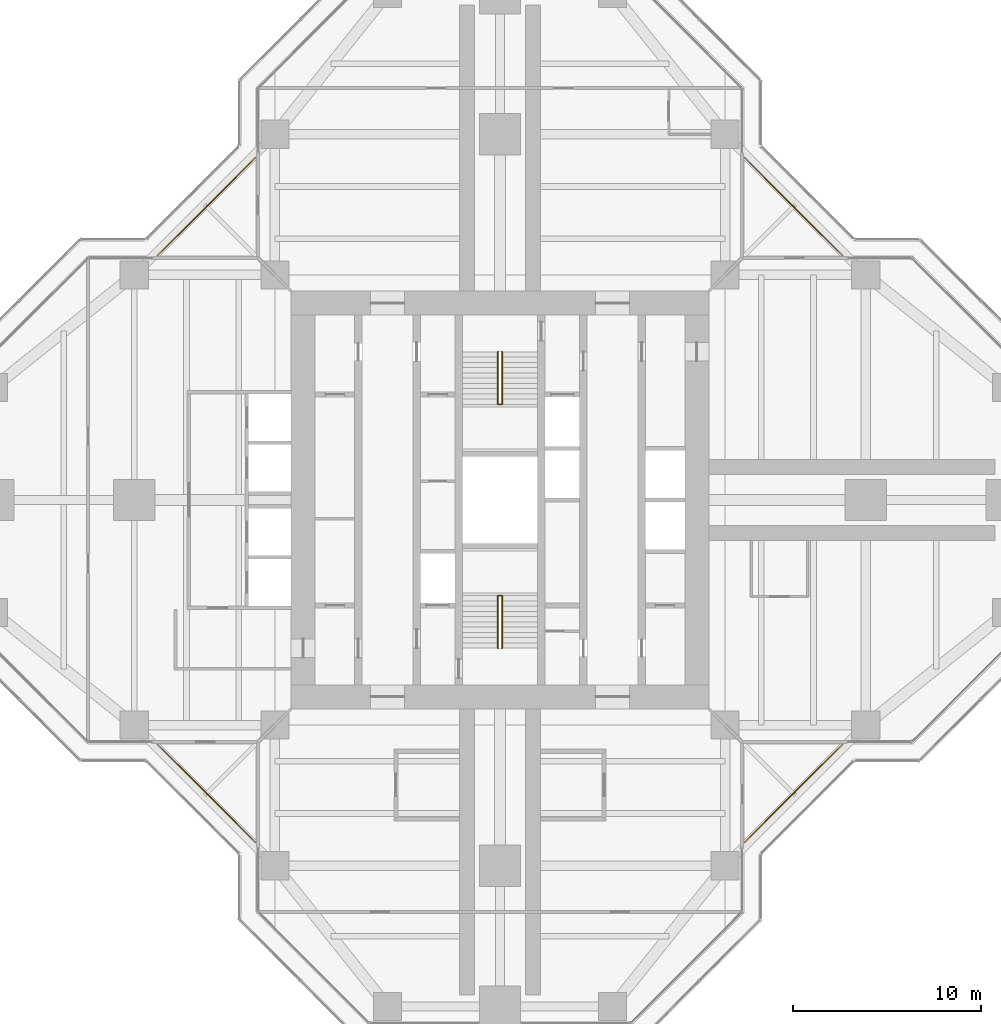
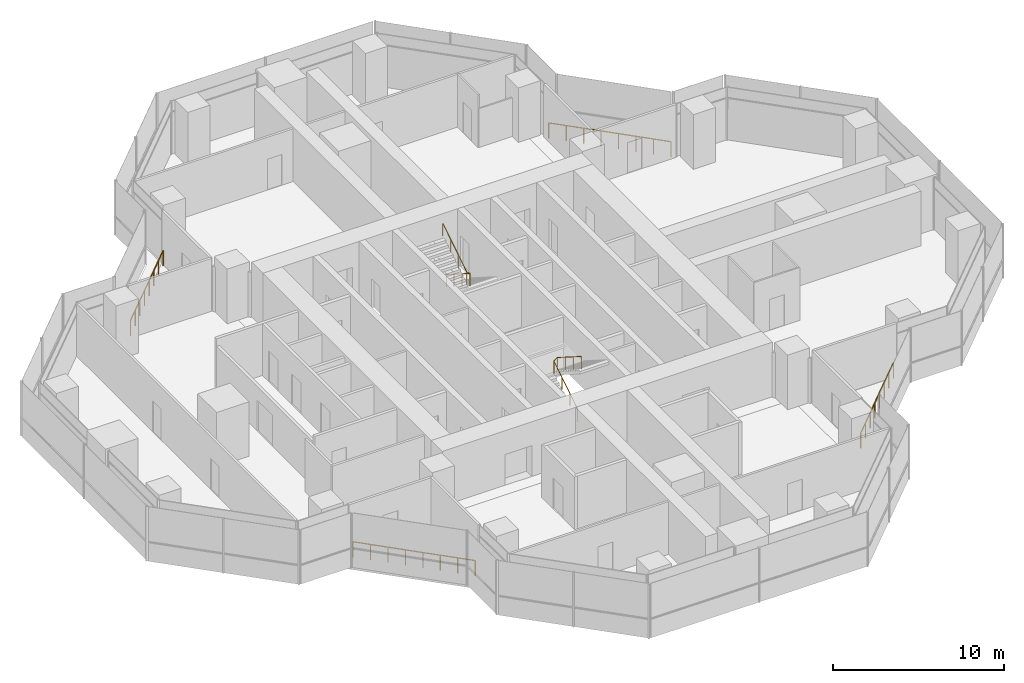
# One storey, part 17 of 17: 6 railings.
"""IFC4 building model written with IfcOpenShell, lengths in metres."""

from ifc_helpers import new_model, si_unit, direction, frame, origin, origin_2d, place, context, subcontext, project, spatial, circle, extrude, material, type_object, element, save


model = new_model("IFC4")

# Units and contexts
model_context = context("Model", 3, precision=1e-05, world=origin(), true_north=direction((0.0, 1.0)))
body_context = subcontext(model_context, "Body", "Model", "MODEL_VIEW")
ifc_project = project(units=[si_unit("LENGTHUNIT", "METRE"), si_unit("AREAUNIT", "SQUARE_METRE"), si_unit("VOLUMEUNIT", "CUBIC_METRE"), si_unit("PLANEANGLEUNIT", "RADIAN"), si_unit("MASSUNIT", "GRAM", prefix="KILO")], contexts=[model_context])

# Site, building, storey
site_placement = place(None, origin())
site = spatial("IfcSite", under=ifc_project, at=site_placement, CompositionType="ELEMENT")
building_placement = place(site_placement, origin())
building = spatial("IfcBuilding", under=site, at=building_placement, Name="Mizan Broadcast Tower", CompositionType="ELEMENT")
storey_placement = place(building_placement, frame((0.0, 0.0, 224.39990234375)))
storey = spatial("IfcBuildingStorey", under=building, at=storey_placement, Name="L52", CompositionType="ELEMENT", Elevation=224.39990234375)

# Railings
ifc_material_1 = material(Name="Stainless steel and glass guard", Category="steel")
railing_type_1 = type_object("IfcRailingType", Name="GUARD 1100", PredefinedType="GUARDRAIL", material=ifc_material_1)
railing_1_placement = place(storey_placement, frame((18.2578125, 13.030029296875, 0.0)))
element("IfcRailing", 1, at=railing_1_placement, inside=storey, type_object=railing_type_1, Name="Winter garden guard L52 E", PredefinedType="GUARDRAIL", context=body_context, shape_type="SweptSolid", body=[
    extrude(circle(Radius=0.02392578125, at=origin_2d()), frame((0.0, 0.0, 1.076171875), z_axis=(-0.707106781187, 0.707106781187, 0.0), x_axis=(-0.707106781187, -0.707106781187, 0.0)), (0.0, 0.0, 1.0), 7.393310546875),
    extrude(circle(Radius=0.02099609375, at=origin_2d()), origin(), (0.0, 0.0, 1.0), 1.052001953125),
    extrude(circle(Radius=0.02099609375, at=origin_2d()), frame((-0.746826171875, 0.746826171875, 0.0)), (0.0, 0.0, 1.0), 1.052001953125),
    extrude(circle(Radius=0.02099609375, at=origin_2d()), frame((-1.49365234375, 1.49365234375, 0.0)), (0.0, 0.0, 1.0), 1.052001953125),
    extrude(circle(Radius=0.02099609375, at=origin_2d()), frame((-2.240478515625, 2.240478515625, 0.0)), (0.0, 0.0, 1.0), 1.052001953125),
    extrude(circle(Radius=0.02099609375, at=origin_2d()), frame((-2.9873046875, 2.9873046875, 0.0)), (0.0, 0.0, 1.0), 1.052001953125),
    extrude(circle(Radius=0.02099609375, at=origin_2d()), frame((-3.734130859375, 3.734130859375, 0.0)), (0.0, 0.0, 1.0), 1.052001953125),
    extrude(circle(Radius=0.02099609375, at=origin_2d()), frame((-4.48095703125, 4.48095703125, 0.0)), (0.0, 0.0, 1.0), 1.052001953125),
    extrude(circle(Radius=0.02099609375, at=origin_2d()), frame((-5.227783203125, 5.227783203125, 0.0)), (0.0, 0.0, 1.0), 1.052001953125),
])
railing_2_placement = place(storey_placement, frame((-13.030029296875, 18.2578125, 0.0)))
element("IfcRailing", 2, at=railing_2_placement, inside=storey, type_object=railing_type_1, Name="Winter garden guard L52 N", PredefinedType="GUARDRAIL", context=body_context, shape_type="SweptSolid", body=[
    extrude(circle(Radius=0.02392578125, at=origin_2d()), frame((0.0, 0.0, 1.076171875), z_axis=(-0.707106781187, -0.707106781187, 0.0), x_axis=(0.707106781187, -0.707106781187, 0.0)), (0.0, 0.0, 1.0), 7.393310546875),
    extrude(circle(Radius=0.02099609375, at=origin_2d()), origin(), (0.0, 0.0, 1.0), 1.052001953125),
    extrude(circle(Radius=0.02099609375, at=origin_2d()), frame((-0.746826171875, -0.746826171875, 0.0)), (0.0, 0.0, 1.0), 1.052001953125),
    extrude(circle(Radius=0.02099609375, at=origin_2d()), frame((-1.49365234375, -1.49365234375, 0.0)), (0.0, 0.0, 1.0), 1.052001953125),
    extrude(circle(Radius=0.02099609375, at=origin_2d()), frame((-2.240478515625, -2.240478515625, 0.0)), (0.0, 0.0, 1.0), 1.052001953125),
    extrude(circle(Radius=0.02099609375, at=origin_2d()), frame((-2.9873046875, -2.9873046875, 0.0)), (0.0, 0.0, 1.0), 1.052001953125),
    extrude(circle(Radius=0.02099609375, at=origin_2d()), frame((-3.734130859375, -3.734130859375, 0.0)), (0.0, 0.0, 1.0), 1.052001953125),
    extrude(circle(Radius=0.02099609375, at=origin_2d()), frame((-4.48095703125, -4.48095703125, 0.0)), (0.0, 0.0, 1.0), 1.052001953125),
    extrude(circle(Radius=0.02099609375, at=origin_2d()), frame((-5.227783203125, -5.227783203125, 0.0)), (0.0, 0.0, 1.0), 1.052001953125),
])
railing_3_placement = place(storey_placement, frame((-18.2578125, -13.030029296875, 0.0)))
element("IfcRailing", 3, at=railing_3_placement, inside=storey, type_object=railing_type_1, Name="Winter garden guard L52 W", PredefinedType="GUARDRAIL", context=body_context, shape_type="SweptSolid", body=[
    extrude(circle(Radius=0.02392578125, at=origin_2d()), frame((0.0, 0.0, 1.076171875), z_axis=(0.707106781187, -0.707106781187, 0.0), x_axis=(0.707106781187, 0.707106781187, 0.0)), (0.0, 0.0, 1.0), 7.393310546875),
    extrude(circle(Radius=0.02099609375, at=origin_2d()), origin(), (0.0, 0.0, 1.0), 1.052001953125),
    extrude(circle(Radius=0.02099609375, at=origin_2d()), frame((0.746826171875, -0.746826171875, 0.0)), (0.0, 0.0, 1.0), 1.052001953125),
    extrude(circle(Radius=0.02099609375, at=origin_2d()), frame((1.49365234375, -1.49365234375, 0.0)), (0.0, 0.0, 1.0), 1.052001953125),
    extrude(circle(Radius=0.02099609375, at=origin_2d()), frame((2.240478515625, -2.240478515625, 0.0)), (0.0, 0.0, 1.0), 1.052001953125),
    extrude(circle(Radius=0.02099609375, at=origin_2d()), frame((2.9873046875, -2.9873046875, 0.0)), (0.0, 0.0, 1.0), 1.052001953125),
    extrude(circle(Radius=0.02099609375, at=origin_2d()), frame((3.734130859375, -3.734130859375, 0.0)), (0.0, 0.0, 1.0), 1.052001953125),
    extrude(circle(Radius=0.02099609375, at=origin_2d()), frame((4.48095703125, -4.48095703125, 0.0)), (0.0, 0.0, 1.0), 1.052001953125),
    extrude(circle(Radius=0.02099609375, at=origin_2d()), frame((5.227783203125, -5.227783203125, 0.0)), (0.0, 0.0, 1.0), 1.052001953125),
])
railing_4_placement = place(storey_placement, frame((13.030029296875, -18.2578125, 0.0)))
element("IfcRailing", 4, at=railing_4_placement, inside=storey, type_object=railing_type_1, Name="Winter garden guard L52 S", PredefinedType="GUARDRAIL", context=body_context, shape_type="SweptSolid", body=[
    extrude(circle(Radius=0.02392578125, at=origin_2d()), frame((0.0, 0.0, 1.076171875), z_axis=(0.707106781187, 0.707106781187, 0.0), x_axis=(-0.707106781187, 0.707106781187, 0.0)), (0.0, 0.0, 1.0), 7.393310546875),
    extrude(circle(Radius=0.02099609375, at=origin_2d()), origin(), (0.0, 0.0, 1.0), 1.052001953125),
    extrude(circle(Radius=0.02099609375, at=origin_2d()), frame((0.746826171875, 0.746826171875, 0.0)), (0.0, 0.0, 1.0), 1.052001953125),
    extrude(circle(Radius=0.02099609375, at=origin_2d()), frame((1.49365234375, 1.49365234375, 0.0)), (0.0, 0.0, 1.0), 1.052001953125),
    extrude(circle(Radius=0.02099609375, at=origin_2d()), frame((2.240478515625, 2.240478515625, 0.0)), (0.0, 0.0, 1.0), 1.052001953125),
    extrude(circle(Radius=0.02099609375, at=origin_2d()), frame((2.9873046875, 2.9873046875, 0.0)), (0.0, 0.0, 1.0), 1.052001953125),
    extrude(circle(Radius=0.02099609375, at=origin_2d()), frame((3.734130859375, 3.734130859375, 0.0)), (0.0, 0.0, 1.0), 1.052001953125),
    extrude(circle(Radius=0.02099609375, at=origin_2d()), frame((4.48095703125, 4.48095703125, 0.0)), (0.0, 0.0, 1.0), 1.052001953125),
    extrude(circle(Radius=0.02099609375, at=origin_2d()), frame((5.227783203125, 5.227783203125, 0.0)), (0.0, 0.0, 1.0), 1.052001953125),
])
ifc_material_2 = material(Name="Stainless steel", Category="steel")
railing_type_2 = type_object("IfcRailingType", Name="HANDRAIL 50", PredefinedType="HANDRAIL", material=ifc_material_2)
railing_5_placement = place(storey_placement, frame((-0.110107421875, -7.89990234375, 0.177490234375)))
element("IfcRailing", 5, at=railing_5_placement, inside=storey, type_object=railing_type_2, Name="Stair A handrail", PredefinedType="HANDRAIL", context=body_context, shape_type="SweptSolid", body=[
    extrude(circle(Radius=0.02392578125, at=origin_2d()), frame((0.0, 0.0, 0.8759765625), z_axis=(0.0, 0.844887892834, 0.53494340686), x_axis=(-1.0, 0.0, 0.0)), (0.0, 0.0, 1.0), 3.313720703125),
    extrude(circle(Radius=0.02392578125, at=origin_2d()), frame((0.0, 2.7998046875, 2.6484375), z_axis=(0.779011685263, 0.0, 0.627009405212), x_axis=(0.0, 1.0, 0.0)), (0.0, 0.0, 1.0), 0.28271484375),
    extrude(circle(Radius=0.02392578125, at=origin_2d()), frame((0.22021484375, 2.7998046875, 2.82568359375), z_axis=(0.0, -0.844887892834, 0.53494340686), x_axis=(1.0, 0.0, 0.0)), (0.0, 0.0, 1.0), 3.313720703125),
    extrude(circle(Radius=0.02099609375, at=origin_2d()), origin(), (0.0, 0.0, 1.0), 0.851806640625),
    extrude(circle(Radius=0.02099609375, at=origin_2d()), frame((0.0, 0.933349609375, 0.5908203125)), (0.0, 0.0, 1.0), 0.851806640625),
    extrude(circle(Radius=0.02099609375, at=origin_2d()), frame((0.0, 1.866455078125, 1.181884765625)), (0.0, 0.0, 1.0), 0.851806640625),
    extrude(circle(Radius=0.02099609375, at=origin_2d()), frame((0.0, 2.7998046875, 1.772705078125)), (0.0, 0.0, 1.0), 0.851806640625),
    extrude(circle(Radius=0.02099609375, at=origin_2d()), frame((0.22021484375, 2.7998046875, 1.949951171875)), (0.0, 0.0, 1.0), 0.851806640625),
    extrude(circle(Radius=0.02099609375, at=origin_2d()), frame((0.22021484375, 1.866455078125, 2.540771484375)), (0.0, 0.0, 1.0), 0.851806640625),
    extrude(circle(Radius=0.02099609375, at=origin_2d()), frame((0.22021484375, 0.933349609375, 3.1318359375)), (0.0, 0.0, 1.0), 0.851806640625),
    extrude(circle(Radius=0.02099609375, at=origin_2d()), frame((0.22021484375, 0.0, 3.72265625)), (0.0, 0.0, 1.0), 0.851806640625),
])
railing_6_placement = place(storey_placement, frame((0.110107421875, 7.89990234375, 0.177490234375)))
element("IfcRailing", 6, at=railing_6_placement, inside=storey, type_object=railing_type_2, Name="Stair B handrail", PredefinedType="HANDRAIL", context=body_context, shape_type="SweptSolid", body=[
    extrude(circle(Radius=0.02392578125, at=origin_2d()), frame((0.0, 0.0, 0.8759765625), z_axis=(0.0, -0.844887892834, 0.53494340686), x_axis=(1.0, 0.0, 0.0)), (0.0, 0.0, 1.0), 3.313720703125),
    extrude(circle(Radius=0.02392578125, at=origin_2d()), frame((0.0, -2.7998046875, 2.6484375), z_axis=(-0.779011685263, 0.0, 0.627009405212), x_axis=(0.0, -1.0, 0.0)), (0.0, 0.0, 1.0), 0.28271484375),
    extrude(circle(Radius=0.02392578125, at=origin_2d()), frame((-0.22021484375, -2.7998046875, 2.82568359375), z_axis=(0.0, 0.844887892834, 0.53494340686), x_axis=(-1.0, 0.0, 0.0)), (0.0, 0.0, 1.0), 3.313720703125),
    extrude(circle(Radius=0.02099609375, at=origin_2d()), origin(), (0.0, 0.0, 1.0), 0.851806640625),
    extrude(circle(Radius=0.02099609375, at=origin_2d()), frame((0.0, -0.933349609375, 0.5908203125)), (0.0, 0.0, 1.0), 0.851806640625),
    extrude(circle(Radius=0.02099609375, at=origin_2d()), frame((0.0, -1.866455078125, 1.181884765625)), (0.0, 0.0, 1.0), 0.851806640625),
    extrude(circle(Radius=0.02099609375, at=origin_2d()), frame((0.0, -2.7998046875, 1.772705078125)), (0.0, 0.0, 1.0), 0.851806640625),
    extrude(circle(Radius=0.02099609375, at=origin_2d()), frame((-0.22021484375, -2.7998046875, 1.949951171875)), (0.0, 0.0, 1.0), 0.851806640625),
    extrude(circle(Radius=0.02099609375, at=origin_2d()), frame((-0.22021484375, -1.866455078125, 2.540771484375)), (0.0, 0.0, 1.0), 0.851806640625),
    extrude(circle(Radius=0.02099609375, at=origin_2d()), frame((-0.22021484375, -0.933349609375, 3.1318359375)), (0.0, 0.0, 1.0), 0.851806640625),
    extrude(circle(Radius=0.02099609375, at=origin_2d()), frame((-0.22021484375, 0.0, 3.72265625)), (0.0, 0.0, 1.0), 0.851806640625),
])

save(model, "model.ifc")
